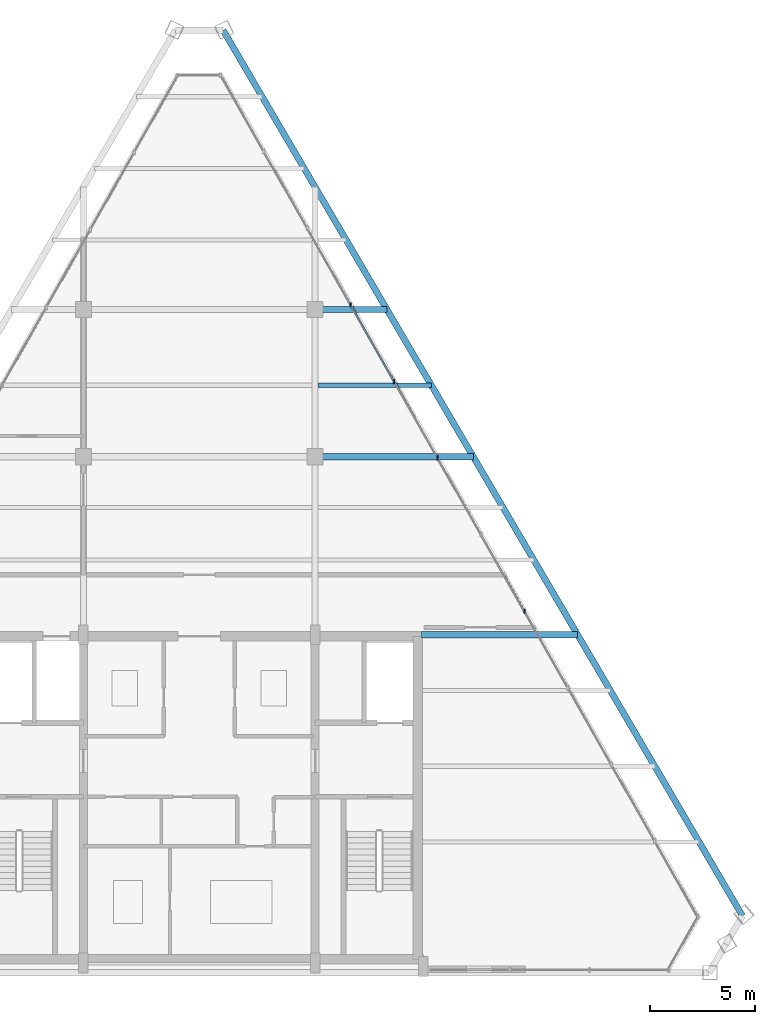
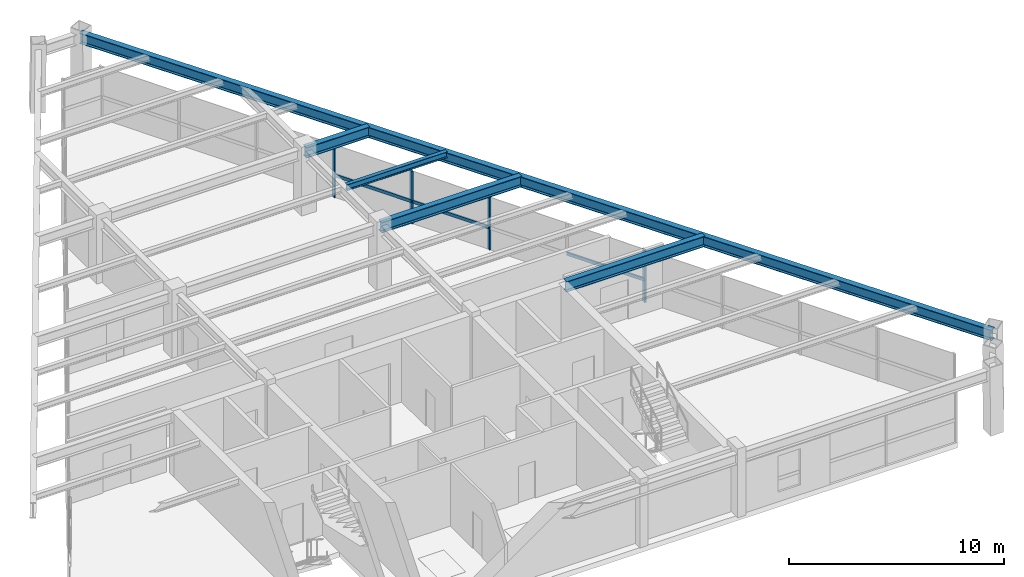
# One storey, part 7 of 12: 7 members, 5 beams, 1 element without a shape of its own.
"""IFC4 building model written with IfcOpenShell, lengths in metres."""

from ifc_helpers import new_model, si_unit, direction, frame, origin, origin_2d, place, context, subcontext, project, spatial, rectangle, i_section, extrude, source, transform, mapped, material, material_profile, profile_set, type_object, type_shapes, element, aggregate, save


model = new_model("IFC4")

# Units and contexts
model_context = context("Model", 3, precision=1e-05, world=origin(), true_north=direction((0.0, 1.0)))
body_context = subcontext(model_context, "Body", "Model", "MODEL_VIEW")
ifc_project = project(units=[si_unit("LENGTHUNIT", "METRE"), si_unit("AREAUNIT", "SQUARE_METRE"), si_unit("VOLUMEUNIT", "CUBIC_METRE"), si_unit("PLANEANGLEUNIT", "RADIAN"), si_unit("MASSUNIT", "GRAM", prefix="KILO")], contexts=[model_context])

# Site, building, storey
site_placement = place(None, origin())
site = spatial("IfcSite", under=ifc_project, at=site_placement, CompositionType="ELEMENT")
building_placement = place(site_placement, origin())
building = spatial("IfcBuilding", under=site, at=building_placement, Name="Varnakhor Terracotta Tower", CompositionType="ELEMENT")
storey_placement = place(building_placement, frame((0.0, 0.0, 313.60009765625)))
storey = spatial("IfcBuildingStorey", under=building, at=storey_placement, Name="L82 Crown", CompositionType="ELEMENT", Elevation=313.60009765625)

# Beams
ifc_material_1 = material(Name="Steel S355", Category="steel")
ifc_material_profile_1 = material_profile(ifc_material_1, i_section(OverallWidth=0.300048828125, OverallDepth=0.60009765625, WebThickness=0.015380859375, FlangeThickness=0.030029296875, FilletRadius=0.01806640625, at=origin_2d()), Name="HEB600")
ifc_profile_set_1 = profile_set([ifc_material_profile_1], Name="Steel S355")
beam_type_1 = type_object("IfcBeamType", Name="BM-HEB600", PredefinedType="BEAM", material=ifc_profile_set_1)
shared_shape_1 = source(origin(), body_context, "Body", "SweptSolid", [
    extrude(i_section(OverallWidth=0.300048828125, OverallDepth=0.60009765625, WebThickness=0.015380859375, FlangeThickness=0.030029296875, FilletRadius=0.01806640625, at=origin_2d()), origin(), (0.0, 0.0, 1.0), 48.765869140625),
])
beam_1_placement = place(storey_placement, frame((25.802978515625, 2.697021484375, 3.2998046875), z_axis=(-0.505813674067, 0.862642757535, 0.0), x_axis=(-0.862642757535, -0.505813674067, 0.0)))
element("IfcBeam", 1, at=beam_1_placement, inside=storey, type_object=beam_type_1, Name="L82 Crown Perimeter Spandrel 4", PredefinedType="BEAM", context=body_context, shape_type="MappedRepresentation", body=[
    mapped(shared_shape_1, transform((0.0, 0.0, 0.0), scale=1.0)),
])
shared_shape_2 = source(origin(), body_context, "Body", "SweptSolid", [
    extrude(i_section(OverallWidth=0.300048828125, OverallDepth=0.60009765625, WebThickness=0.015380859375, FlangeThickness=0.030029296875, FilletRadius=0.01806640625, at=origin_2d()), origin(), (0.0, 0.0, 1.0), 7.42333984375),
])
beam_2_placement = place(storey_placement, frame((10.550048828125, 16.050048828125, 3.2998046875), z_axis=(1.0, 0.0, 0.0), x_axis=(0.0, 1.0, 0.0)))
element("IfcBeam", 2, at=beam_2_placement, inside=storey, type_object=beam_type_1, Name="L82 Crown Wing Girder E", PredefinedType="BEAM", context=body_context, shape_type="MappedRepresentation", body=[
    mapped(shared_shape_2, transform((0.0, 0.0, 0.0), scale=1.0)),
])
shared_shape_3 = source(origin(), body_context, "Body", "SweptSolid", [
    extrude(i_section(OverallWidth=0.300048828125, OverallDepth=0.60009765625, WebThickness=0.015380859375, FlangeThickness=0.030029296875, FilletRadius=0.01806640625, at=origin_2d()), origin(), (0.0, 0.0, 1.0), 7.518798828125),
])
beam_3_placement = place(storey_placement, frame((5.5, 24.5, 3.2998046875), z_axis=(1.0, 0.0, 0.0), x_axis=(0.0, 1.0, 0.0)))
element("IfcBeam", 3, at=beam_3_placement, inside=storey, type_object=beam_type_1, Name="L82 Crown Primary Girder EW2-3", PredefinedType="BEAM", context=body_context, shape_type="MappedRepresentation", body=[
    mapped(shared_shape_3, transform((0.0, 0.0, 0.0), scale=1.0)),
])
shared_shape_4 = source(origin(), body_context, "Body", "SweptSolid", [
    extrude(i_section(OverallWidth=0.300048828125, OverallDepth=0.60009765625, WebThickness=0.015380859375, FlangeThickness=0.030029296875, FilletRadius=0.01806640625, at=origin_2d()), origin(), (0.0, 0.0, 1.0), 3.414306640625),
])
beam_4_placement = place(storey_placement, frame((5.5, 31.5, 3.2998046875), z_axis=(1.0, 0.0, 0.0), x_axis=(0.0, 1.0, 0.0)))
element("IfcBeam", 4, at=beam_4_placement, inside=storey, type_object=beam_type_1, Name="L82 Crown Primary Girder EW3-3", PredefinedType="BEAM", context=body_context, shape_type="MappedRepresentation", body=[
    mapped(shared_shape_4, transform((0.0, 0.0, 0.0), scale=1.0)),
])
ifc_material_profile_2 = material_profile(ifc_material_1, i_section(OverallWidth=0.202880859375, OverallDepth=0.346923828125, WebThickness=0.0078125, FlangeThickness=0.013427734375, FilletRadius=0.01806640625, at=origin_2d()), Name="W14X43")
ifc_profile_set_2 = profile_set([ifc_material_profile_2], Name="Steel S355")
beam_type_2 = type_object("IfcBeamType", Name="JST-W14X43", PredefinedType="JOIST", material=ifc_profile_set_2)
shared_shape_5 = source(origin(), body_context, "Body", "SweptSolid", [
    extrude(i_section(OverallWidth=0.202880859375, OverallDepth=0.346923828125, WebThickness=0.0078125, FlangeThickness=0.013427734375, FilletRadius=0.01806640625, at=origin_2d()), origin(), (0.0, 0.0, 1.0), 5.379150390625),
])
beam_5_placement = place(storey_placement, frame((5.64599609375, 27.89990234375, 3.426513671875), z_axis=(1.0, 0.0, 0.0), x_axis=(0.0, 1.0, 0.0)))
element("IfcBeam", 5, at=beam_5_placement, inside=storey, type_object=beam_type_2, Name="L82 Crown Composite Floor Joist 6-3", PredefinedType="JOIST", context=body_context, shape_type="MappedRepresentation", body=[
    mapped(shared_shape_5, transform((0.0, 0.0, 0.0), scale=1.0)),
])

# Curtain wall, members
ifc_material_2 = material(Name="Anodised Aluminium Curtain Wall System", Category="aluminium")
curtain_wall_type = type_object("IfcCurtainWallType", Name="CW-SYS-CROWN", PredefinedType="NOTDEFINED", material=ifc_material_2)
curtain_wall_placement = place(storey_placement, origin())
curtain_wall = element("IfcCurtainWall", 6, at=curtain_wall_placement, inside=storey, type_object=curtain_wall_type, Name="L82 Crown Facet Curtain Wall 3", PredefinedType="NOTDEFINED")
ifc_material_3 = material(Name="Anodised Aluminium 6063-T6", Category="aluminium")
ifc_material_profile_3 = material_profile(ifc_material_3, rectangle(XDim=0.080078125, YDim=0.205078125, at=origin_2d()), Name="ALU MULLION 80x205")
ifc_profile_set_3 = profile_set([ifc_material_profile_3], Name="Anodised Aluminium 6063-T6")
member_type_1 = type_object("IfcMemberType", Name="CWM-06", PredefinedType="MULLION", material=ifc_profile_set_3)
shared_shape_6 = source(origin(), body_context, "Body", "SweptSolid", [
    extrude(rectangle(XDim=0.080078125, YDim=0.205078125, at=origin_2d()), origin(), (0.0, 0.0, 1.0), 2.97998046875),
])
type_shapes(member_type_1, [shared_shape_6])
member_1_placement = place(storey_placement, frame((7.192138671875, 31.725830078125, 0.0), z_axis=(0.0, 0.0, 1.0), x_axis=(1.0, 0.0, 0.0)))
member_1 = element("IfcMember", 7, at=member_1_placement, type_object=member_type_1, Name="L82 Crown Facet Curtain Wall 3 Mullion 4", PredefinedType="MULLION", context=body_context, shape_type="MappedRepresentation", body=[
    mapped(shared_shape_6, transform((0.0, 0.0, 0.0), scale=1.0)),
])
member_2_placement = place(storey_placement, frame((9.25537109375, 28.0859375, 0.0), z_axis=(0.0, 0.0, 1.0), x_axis=(1.0, 0.0, 0.0)))
member_2 = element("IfcMember", 8, at=member_2_placement, type_object=member_type_1, Name="L82 Crown Facet Curtain Wall 3 Mullion 5", PredefinedType="MULLION", context=body_context, shape_type="MappedRepresentation", body=[
    mapped(shared_shape_6, transform((0.0, 0.0, 0.0), scale=1.0)),
])
member_3_placement = place(storey_placement, frame((11.31884765625, 24.4462890625, 0.0), z_axis=(0.0, 0.0, 1.0), x_axis=(1.0, 0.0, 0.0)))
member_3 = element("IfcMember", 9, at=member_3_placement, type_object=member_type_1, Name="L82 Crown Facet Curtain Wall 3 Mullion 6", PredefinedType="MULLION", context=body_context, shape_type="MappedRepresentation", body=[
    mapped(shared_shape_6, transform((0.0, 0.0, 0.0), scale=1.0)),
])
member_4_placement = place(storey_placement, frame((15.445556640625, 17.166748046875, 0.0), z_axis=(0.0, 0.0, 1.0), x_axis=(1.0, 0.0, 0.0)))
member_4 = element("IfcMember", 10, at=member_4_placement, type_object=member_type_1, Name="L82 Crown Facet Curtain Wall 3 Mullion 8", PredefinedType="MULLION", context=body_context, shape_type="MappedRepresentation", body=[
    mapped(shared_shape_6, transform((0.0, 0.0, 0.0), scale=1.0)),
])
ifc_material_profile_4 = material_profile(ifc_material_3, rectangle(XDim=0.080078125, YDim=0.179931640625, at=origin_2d()), Name="ALU TRANSOM 80x180")
ifc_profile_set_4 = profile_set([ifc_material_profile_4], Name="Anodised Aluminium 6063-T6")
member_type_2 = type_object("IfcMemberType", Name="CWT-06", PredefinedType="USERDEFINED", material=ifc_profile_set_4)
shared_shape_7 = source(origin(), body_context, "Body", "SweptSolid", [
    extrude(rectangle(XDim=0.080078125, YDim=0.179931640625, at=origin_2d()), origin(), (0.0, 0.0, 1.0), 4.183837890625),
])
member_5_placement = place(storey_placement, frame((9.25537109375, 28.0859375, 1.25146484375), z_axis=(0.493195127326, -0.869918712514, 0.0), x_axis=(0.869918712514, 0.493195127326, 0.0)))
member_5 = element("IfcMember", 11, at=member_5_placement, type_object=member_type_2, Name="L82 Crown Facet Curtain Wall 3 Transom 5", ObjectType="TRANSOM", PredefinedType="USERDEFINED", context=body_context, shape_type="MappedRepresentation", body=[
    mapped(shared_shape_7, transform((0.0, 0.0, 0.0), scale=1.0)),
])
member_6_placement = place(storey_placement, frame((13.382080078125, 20.806396484375, 1.25146484375), z_axis=(0.493195127326, -0.869918712514, 0.0), x_axis=(0.869918712514, 0.493195127326, 0.0)))
member_6 = element("IfcMember", 12, at=member_6_placement, type_object=member_type_2, Name="L82 Crown Facet Curtain Wall 3 Transom 7", ObjectType="TRANSOM", PredefinedType="USERDEFINED", context=body_context, shape_type="MappedRepresentation", body=[
    mapped(shared_shape_7, transform((0.0, 0.0, 0.0), scale=1.0)),
])
shared_shape_8 = source(origin(), body_context, "Body", "SweptSolid", [
    extrude(rectangle(XDim=0.080078125, YDim=0.179931640625, at=origin_2d()), origin(), (0.0, 0.0, 1.0), 4.18408203125),
])
member_7_placement = place(storey_placement, frame((7.192138671875, 31.725830078125, 1.25146484375), z_axis=(0.493125933024, -0.869957938167, 0.0), x_axis=(0.869957938167, 0.493125933024, 0.0)))
member_7 = element("IfcMember", 13, at=member_7_placement, type_object=member_type_2, Name="L82 Crown Facet Curtain Wall 3 Transom 4", ObjectType="TRANSOM", PredefinedType="USERDEFINED", context=body_context, shape_type="MappedRepresentation", body=[
    mapped(shared_shape_8, transform((0.0, 0.0, 0.0), scale=1.0)),
])
aggregate(curtain_wall, [member_1, member_7, member_2, member_5, member_3, member_6, member_4])

save(model, "model.ifc")
